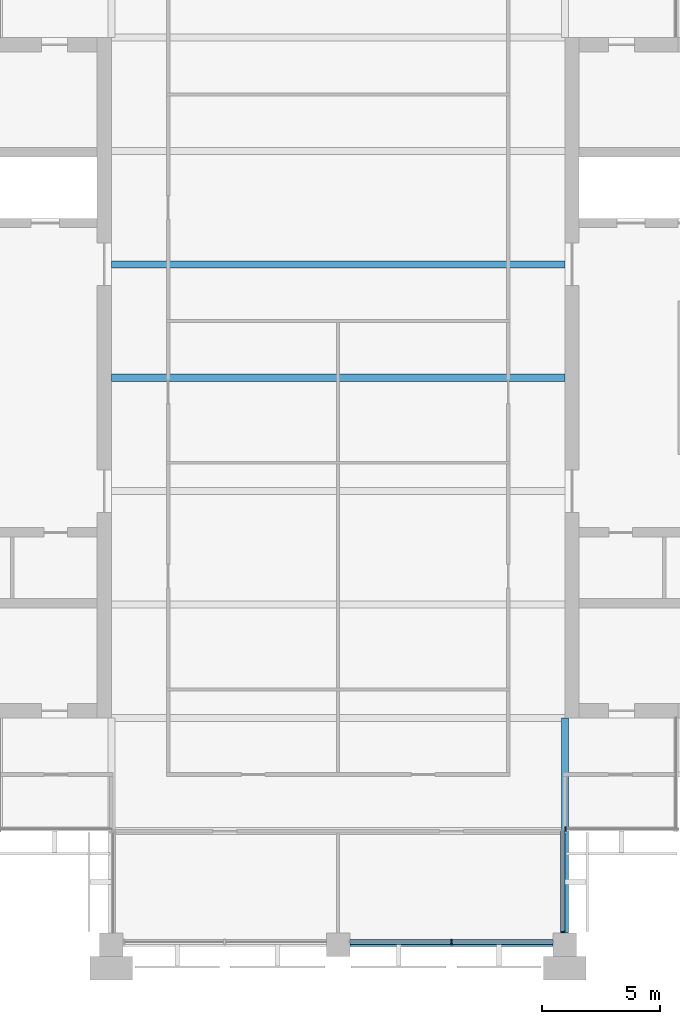
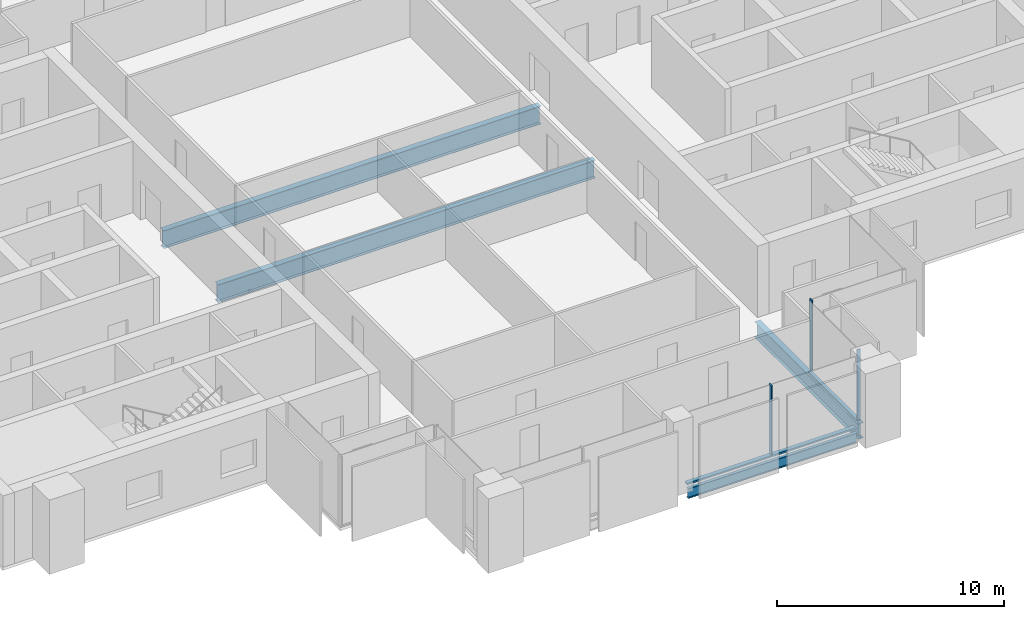
# One storey, part 3 of 12: 5 members, 4 beams, 3 elements without a shape of their own.
"""IFC4 building model written with IfcOpenShell, lengths in metres."""

from ifc_helpers import new_model, si_unit, direction, frame, origin, origin_2d, place, context, subcontext, project, spatial, rectangle, i_section, extrude, material, material_profile, profile_set, type_object, element, aggregate, save


model = new_model("IFC4")

# Units and contexts
model_context = context("Model", 3, precision=1e-05, world=origin(), true_north=direction((0.0, 1.0)))
body_context = subcontext(model_context, "Body", "Model", "MODEL_VIEW")
ifc_project = project(units=[si_unit("LENGTHUNIT", "METRE"), si_unit("AREAUNIT", "SQUARE_METRE"), si_unit("VOLUMEUNIT", "CUBIC_METRE"), si_unit("PLANEANGLEUNIT", "RADIAN"), si_unit("MASSUNIT", "GRAM", prefix="KILO")], contexts=[model_context])

# Site, building, storey
site_placement = place(None, origin())
site = spatial("IfcSite", under=ifc_project, at=site_placement, CompositionType="ELEMENT")
building_placement = place(site_placement, origin())
building = spatial("IfcBuilding", under=site, at=building_placement, Name="Baori Bourse Tower", CompositionType="ELEMENT")
storey_placement = place(building_placement, frame((0.0, 0.0, 310.300048828125)))
storey = spatial("IfcBuildingStorey", under=building, at=storey_placement, Name="L68", CompositionType="ELEMENT", Elevation=310.300048828125)

# Curtain wall, member
ifc_material_1 = material(Name="Pale anodised aluminium", Category="aluminium")
curtain_wall_type_1 = type_object("IfcCurtainWallType", Name="CW2 Curtain wall", PredefinedType="NOTDEFINED", material=ifc_material_1)
curtain_wall_1_placement = place(storey_placement, origin())
curtain_wall_1 = element("IfcCurtainWall", 1, at=curtain_wall_1_placement, inside=storey, type_object=curtain_wall_type_1, Name="Curtain wall CW2 L68 12", PredefinedType="NOTDEFINED")
ifc_material_2 = material(Name="Pale anodised aluminium", Category="aluminium")
ifc_material_profile_1 = material_profile(ifc_material_2, rectangle(XDim=0.179931640625, YDim=0.054931640625, at=origin_2d()), Name="Mullion 55x180")
ifc_profile_set_1 = profile_set([ifc_material_profile_1], Name="Pale anodised aluminium")
member_type_1 = type_object("IfcMemberType", Name="CW2 Curtain wall mullion", PredefinedType="MULLION", material=ifc_profile_set_1)
member_1_placement = place(storey_placement, frame((38.31005859375, 0.527587890625, 0.070068359375), z_axis=(0.0, 0.0, 1.0), x_axis=(-1.0, 0.0, 0.0)))
member_1 = element("IfcMember", 2, at=member_1_placement, type_object=member_type_1, Name="Curtain wall CW2 mullion", PredefinedType="MULLION", context=body_context, shape_type="SweptSolid", body=[
    extrude(rectangle(XDim=0.179931640625, YDim=0.054931640625, at=origin_2d()), origin(), (0.0, 0.0, 1.0), 3.769775390625),
])

curtain_wall_2_placement = place(storey_placement, origin())
curtain_wall_2 = element("IfcCurtainWall", 3, at=curtain_wall_2_placement, inside=storey, type_object=curtain_wall_type_1, Name="Curtain wall CW2 L68 13", PredefinedType="NOTDEFINED")
member_2_placement = place(storey_placement, frame((38.427490234375, 4.889892578125, 0.070068359375), z_axis=(0.0, 0.0, 1.0), x_axis=(0.0, 1.0, 0.0)))
member_2 = element("IfcMember", 4, at=member_2_placement, type_object=member_type_1, Name="Curtain wall CW2 mullion", PredefinedType="MULLION", context=body_context, shape_type="SweptSolid", body=[
    extrude(rectangle(XDim=0.179931640625, YDim=0.054931640625, at=origin_2d()), origin(), (0.0, 0.0, 1.0), 3.769775390625),
])
aggregate(curtain_wall_2, [member_2])

# Member
ifc_material_3 = material(Name="Pale anodised aluminium", Category="aluminium")
ifc_material_profile_2 = material_profile(ifc_material_3, rectangle(XDim=0.179931640625, YDim=0.070068359375, at=origin_2d()), Name="Transom 70x180")
ifc_profile_set_2 = profile_set([ifc_material_profile_2], Name="Pale anodised aluminium")
member_type_2 = type_object("IfcMemberType", Name="CW2 Curtain wall transom", PredefinedType="USERDEFINED", material=ifc_profile_set_2)
member_3_placement = place(storey_placement, frame((38.31005859375, 0.5, 0.034912109375), z_axis=(0.0, 1.0, 0.0), x_axis=(-1.0, 0.0, 0.0)))
member_3 = element("IfcMember", 5, at=member_3_placement, type_object=member_type_2, Name="Curtain wall CW2 sill rail", ObjectType="TRANSOM", PredefinedType="USERDEFINED", context=body_context, shape_type="SweptSolid", body=[
    extrude(rectangle(XDim=0.179931640625, YDim=0.070068359375, at=origin_2d()), origin(), (0.0, 0.0, 1.0), 4.300048828125),
])

aggregate(curtain_wall_1, [member_3, member_1])

# Curtain wall, members
ifc_material_4 = material(Name="Pale anodised aluminium", Category="aluminium")
curtain_wall_type_2 = type_object("IfcCurtainWallType", Name="CW5 Curtain wall", PredefinedType="NOTDEFINED", material=ifc_material_4)
curtain_wall_3_placement = place(storey_placement, origin())
curtain_wall_3 = element("IfcCurtainWall", 6, at=curtain_wall_3_placement, inside=storey, type_object=curtain_wall_type_2, Name="Curtain wall CW5 L68 11", PredefinedType="NOTDEFINED")
ifc_material_5 = material(Name="Pale anodised aluminium", Category="aluminium")
ifc_material_profile_3 = material_profile(ifc_material_5, rectangle(XDim=0.219970703125, YDim=0.06494140625, at=origin_2d()), Name="Mullion 65x220")
ifc_profile_set_3 = profile_set([ifc_material_profile_3], Name="Pale anodised aluminium")
member_type_3 = type_object("IfcMemberType", Name="CW5 Curtain wall mullion", PredefinedType="MULLION", material=ifc_profile_set_3)
member_4_placement = place(storey_placement, frame((33.60009765625, 0.110107421875, 0.0849609375), z_axis=(0.0, 0.0, 1.0), x_axis=(0.0, 1.0, 0.0)))
member_4 = element("IfcMember", 7, at=member_4_placement, type_object=member_type_3, Name="Curtain wall CW5 mullion", PredefinedType="MULLION", context=body_context, shape_type="SweptSolid", body=[
    extrude(rectangle(XDim=0.219970703125, YDim=0.06494140625, at=origin_2d()), origin(), (0.0, 0.0, 1.0), 3.7548828125),
])
ifc_material_6 = material(Name="Pale anodised aluminium", Category="aluminium")
ifc_material_profile_4 = material_profile(ifc_material_6, rectangle(XDim=0.219970703125, YDim=0.0849609375, at=origin_2d()), Name="Transom 85x220")
ifc_profile_set_4 = profile_set([ifc_material_profile_4], Name="Pale anodised aluminium")
member_type_4 = type_object("IfcMemberType", Name="CW5 Curtain wall transom", PredefinedType="USERDEFINED", material=ifc_profile_set_4)
member_5_placement = place(storey_placement, frame((29.300048828125, 0.110107421875, 0.04248046875), z_axis=(1.0, 0.0, 0.0), x_axis=(0.0, 1.0, 0.0)))
member_5 = element("IfcMember", 8, at=member_5_placement, type_object=member_type_4, Name="Curtain wall CW5 sill rail", ObjectType="TRANSOM", PredefinedType="USERDEFINED", context=body_context, shape_type="SweptSolid", body=[
    extrude(rectangle(XDim=0.219970703125, YDim=0.0849609375, at=origin_2d()), origin(), (0.0, 0.0, 1.0), 8.599853515625),
])
aggregate(curtain_wall_3, [member_5, member_4])

# Beams
ifc_material_7 = material(Name="Steel A992 Gr 50", Category="steel")
ifc_material_profile_5 = material_profile(ifc_material_7, i_section(OverallWidth=0.1650390625, OverallDepth=0.52587890625, WebThickness=0.0087890625, FlangeThickness=0.011474609375, at=origin_2d()), Name="W21x44")
ifc_profile_set_5 = profile_set([ifc_material_profile_5], Name="Steel A992 Gr 50")
beam_type_1 = type_object("IfcBeamType", Name="Edge beam W21x44", PredefinedType="BEAM", material=ifc_profile_set_5)
beam_1_placement = place(storey_placement, frame((29.300048828125, 0.0, -0.4228515625), z_axis=(1.0, 0.0, 0.0), x_axis=(0.0, 1.0, 0.0)))
element("IfcBeam", 9, at=beam_1_placement, inside=storey, type_object=beam_type_1, Name="Edge beam L68", PredefinedType="BEAM", context=body_context, shape_type="SweptSolid", body=[
    extrude(i_section(OverallWidth=0.1650390625, OverallDepth=0.52587890625, WebThickness=0.0087890625, FlangeThickness=0.011474609375, at=origin_2d()), origin(), (0.0, 0.0, 1.0), 8.599853515625),
])
ifc_material_8 = material(Name="Steel A992 Gr 50", Category="steel")
ifc_material_profile_6 = material_profile(ifc_material_8, i_section(OverallWidth=0.2998046875, OverallDepth=0.97021484375, WebThickness=0.01611328125, FlangeThickness=0.02099609375, at=origin_2d()), Name="W40x149")
ifc_profile_set_6 = profile_set([ifc_material_profile_6], Name="Steel A992 Gr 50")
beam_type_2 = type_object("IfcBeamType", Name="Floor beam W40x149", PredefinedType="BEAM", material=ifc_profile_set_6)
for number, where, z_axis, x_axis, name in (
    (10, (19.199951171875, 24.0, -0.645263671875), (1.0, 0.0, 0.0), (0.0, 1.0, 0.0), "Floor beam L68"),
    (11, (19.199951171875, 28.800048828125, -0.645263671875), (1.0, 0.0, 0.0), (0.0, 1.0, 0.0), "Floor beam L68"),
):
    element("IfcBeam", number, at=place(storey_placement, frame(where, z_axis=z_axis, x_axis=x_axis)), inside=storey, type_object=beam_type_2, Name=name, PredefinedType="BEAM", context=body_context, shape_type="SweptSolid", body=[
        extrude(i_section(OverallWidth=0.2998046875, OverallDepth=0.97021484375, WebThickness=0.01611328125, FlangeThickness=0.02099609375, at=origin_2d()), origin(), (0.0, 0.0, 1.0), 19.199951171875),
    ])
ifc_material_9 = material(Name="Steel A992 Gr 50", Category="steel")
ifc_material_profile_7 = material_profile(ifc_material_9, i_section(OverallWidth=0.2919921875, OverallDepth=0.835693359375, WebThickness=0.013916015625, FlangeThickness=0.018798828125, at=origin_2d()), Name="W33x118")
ifc_profile_set_7 = profile_set([ifc_material_profile_7], Name="Steel A992 Gr 50")
beam_type_3 = type_object("IfcBeamType", Name="Girder W33x118", PredefinedType="BEAM", material=ifc_profile_set_7)
beam_2_placement = place(storey_placement, frame((38.39990234375, 0.5, -0.577880859375), z_axis=(0.0, 1.0, 0.0), x_axis=(-1.0, 0.0, 0.0)))
element("IfcBeam", 12, at=beam_2_placement, inside=storey, type_object=beam_type_3, Name="Girder L68", PredefinedType="BEAM", context=body_context, shape_type="SweptSolid", body=[
    extrude(i_section(OverallWidth=0.2919921875, OverallDepth=0.835693359375, WebThickness=0.013916015625, FlangeThickness=0.018798828125, at=origin_2d()), origin(), (0.0, 0.0, 1.0), 9.10009765625),
])

save(model, "model.ifc")
